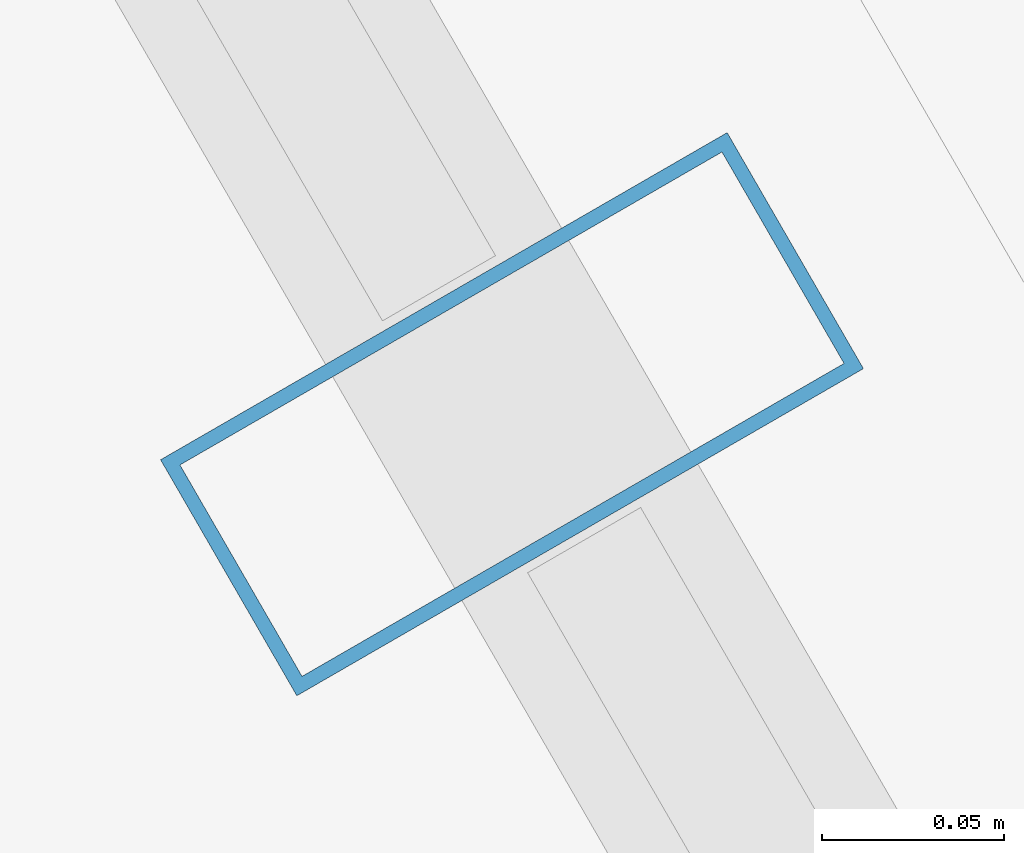
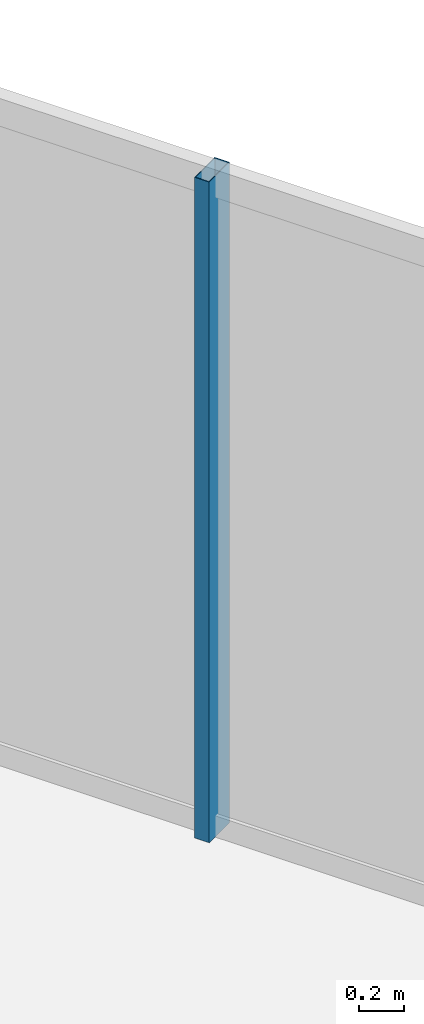
# One storey, part 25 of 33: 1 member, 1 element without a shape of its own.
"""IFC4 building model written with IfcOpenShell, lengths in metres."""

from ifc_helpers import new_model, si_unit, direction, frame, origin, origin_2d, place, context, subcontext, project, spatial, hollow_rectangle, extrude, material, layer, layer_set, material_profile, profile_set, type_object, element, aggregate, save


model = new_model("IFC4")

# Units and contexts
model_context = context("Model", 3, precision=1e-05, world=origin(), true_north=direction((0.0, 1.0)))
body_context = subcontext(model_context, "Body", "Model", "MODEL_VIEW")
ifc_project = project(units=[si_unit("LENGTHUNIT", "METRE"), si_unit("AREAUNIT", "SQUARE_METRE"), si_unit("VOLUMEUNIT", "CUBIC_METRE"), si_unit("PLANEANGLEUNIT", "RADIAN"), si_unit("MASSUNIT", "GRAM", prefix="KILO")], contexts=[model_context])

# Site, building, storey
site_placement = place(None, origin())
site = spatial("IfcSite", under=ifc_project, at=site_placement, CompositionType="ELEMENT")
building_placement = place(site_placement, origin())
building = spatial("IfcBuilding", under=site, at=building_placement, Name="Ndaravel Arena Tower", CompositionType="ELEMENT")
storey_placement = place(building_placement, frame((0.0, 0.0, 184.0)))
storey = spatial("IfcBuildingStorey", under=building, at=storey_placement, Name="L44", CompositionType="ELEMENT", Elevation=184.0)

# Curtain wall, member
ifc_material_1 = material(Name="Aluminium", Category="aluminium")
ifc_layer = layer(ifc_material_1, 0.179931640625)
ifc_layer_set = layer_set([ifc_layer], Name="Aluminium")
curtain_wall_type = type_object("IfcCurtainWallType", Name="CW-SYS-03", PredefinedType="NOTDEFINED", material=ifc_layer_set)
curtain_wall_placement = place(storey_placement, origin())
curtain_wall = element("IfcCurtainWall", 1, at=curtain_wall_placement, inside=storey, type_object=curtain_wall_type, Name="L44 Faceted Crystal Curtain Wall CW-L44-E03", PredefinedType="NOTDEFINED")
ifc_material_2 = material(Name="Aluminium", Category="aluminium")
ifc_material_profile = material_profile(ifc_material_2, hollow_rectangle(XDim=0.074951171875, YDim=0.179931640625, WallThickness=0.00390625, at=origin_2d()), Name="CW MULLION 75x180x4")
ifc_profile_set = profile_set([ifc_material_profile], Name="Aluminium")
member_type = type_object("IfcMemberType", Name="MEM-CW-MUL180", PredefinedType="MULLION", material=ifc_profile_set)
member_placement = place(storey_placement, frame((50.959228515625, 38.97412109375, 0.0), z_axis=(0.0, 0.0, 1.0), x_axis=(-0.5, 0.866025403784, 0.0)))
member = element("IfcMember", 2, at=member_placement, type_object=member_type, Name="CW-L44-E03 Mullion 07", PredefinedType="MULLION", context=body_context, shape_type="SweptSolid", body=[
    extrude(hollow_rectangle(XDim=0.074951171875, YDim=0.179931640625, WallThickness=0.00390625, at=origin_2d()), origin(), (0.0, 0.0, 1.0), 3.580078125),
])
aggregate(curtain_wall, [member])

save(model, "model.ifc")
